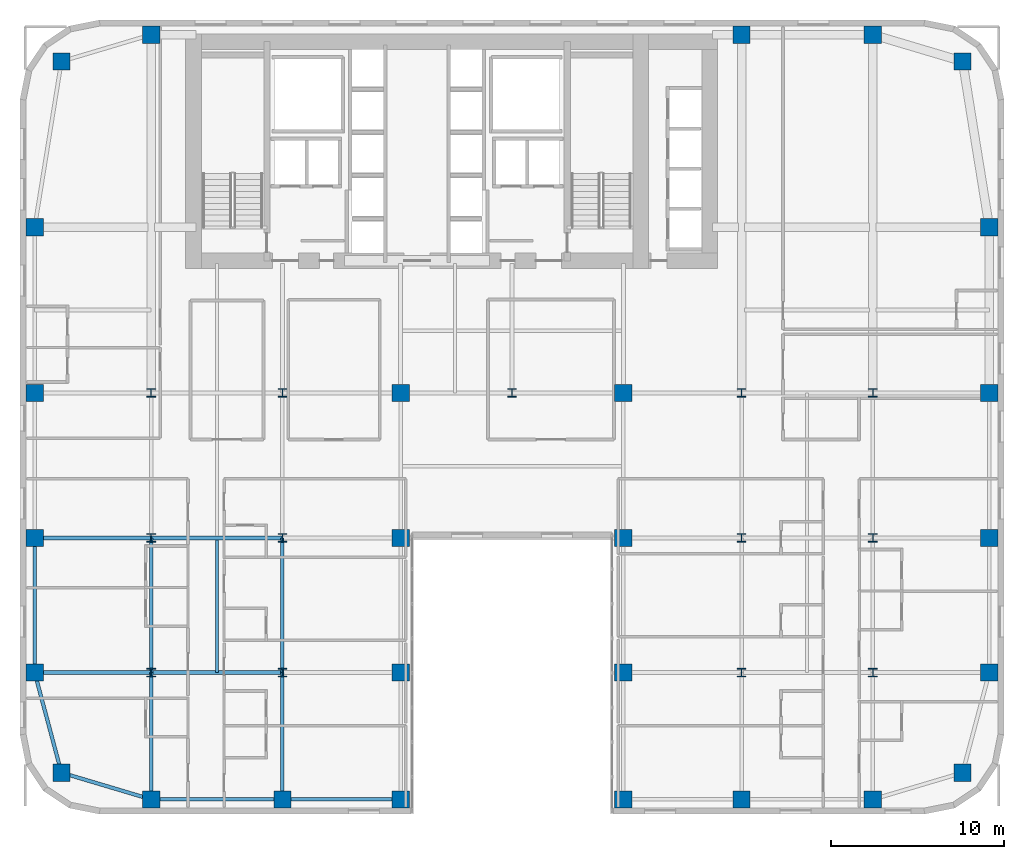
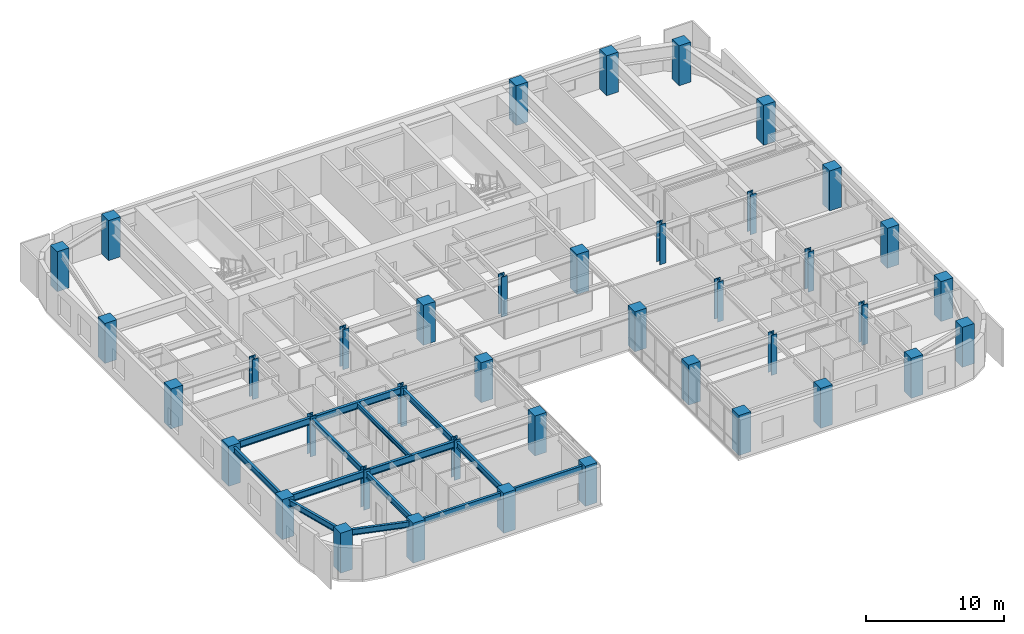
# One storey, part 1 of 17: 40 columns, 14 beams.
"""IFC4 building model written with IfcOpenShell, lengths in metres."""

import ifcopenshell
import ifcopenshell.guid

model = None  # the IFC model being written
_history = None  # IfcOwnerHistory: only IFC2X3 demands one
_inside = {}  # id of a spatial element -> (the spatial element, [elements in it])
_under = {}  # id of a project, library or spatial element -> (it, [spatial elements below it])
_declared = {}  # id of a project -> (the project, [libraries it declares])
_typed = {}  # id of a type object -> (the type object, [elements of that type])
_made_of = {}  # id of a material, layer set ... -> (it, [elements and type objects made of it])


def new_model(schema):
    """Start an empty IFC model of exactly this schema.

    Asked for "IFC4X3", IfcOpenShell would pick the latest addendum, in which some entities
    have other attributes; the version numbers below select the first issue.
    IFC2X3 requires an IfcOwnerHistory on every rooted entity: one is made here for all.
    """
    global model, _history
    if schema == "IFC4X3":
        model = ifcopenshell.file(schema_version=(4, 3, 0, 0))
    else:
        model = ifcopenshell.file(schema=schema)
    _inside.clear()
    _under.clear()
    _declared.clear()
    _typed.clear()
    _made_of.clear()
    _history = None
    if model.schema == "IFC2X3":
        org = make("IfcOrganization", Name="unknown")
        user = make(
            "IfcPersonAndOrganization",
            ThePerson=make("IfcPerson", FamilyName="unknown"),
            TheOrganization=org,
        )
        app = make(
            "IfcApplication",
            ApplicationDeveloper=org,
            Version="unknown",
            ApplicationFullName="unknown",
            ApplicationIdentifier="unknown",
        )
        _history = make(
            "IfcOwnerHistory",
            OwningUser=user,
            OwningApplication=app,
            ChangeAction="ADDED",
            CreationDate=0,
        )
    return model


def make(cls, **values):
    """One entity of the class cls with the attributes given. An attribute that is None is left unset."""
    return model.create_entity(
        cls, **{name: value for name, value in values.items() if value is not None}
    )


def rooted(cls, **values):
    """An entity with a GlobalId (a new one), such as an element, a storey or a relation."""
    return make(cls, GlobalId=ifcopenshell.guid.new(), OwnerHistory=_history, **values)


def si_unit(unit_type, name, prefix=None):
    """IfcSIUnit, for example si_unit("LENGTHUNIT", "METRE", prefix="MILLI")."""
    return make("IfcSIUnit", UnitType=unit_type, Prefix=prefix, Name=name)


def assignment(units):
    """IfcUnitAssignment: the units of a project."""
    return None if units is None else make("IfcUnitAssignment", Units=units)


def point(xyz):
    """IfcCartesianPoint."""
    return None if xyz is None else make("IfcCartesianPoint", Coordinates=xyz)


def direction(xyz):
    """IfcDirection."""
    return None if xyz is None else make("IfcDirection", DirectionRatios=xyz)


def frame(location, z_axis=None, x_axis=None):
    """IfcAxis2Placement3D, a coordinate frame: its origin and axes. An axis left out is left unset."""
    return make(
        "IfcAxis2Placement3D",
        Location=point(location),
        Axis=direction(z_axis),
        RefDirection=direction(x_axis),
    )


def frame_2d(location, x_axis=None):
    """IfcAxis2Placement2D, a coordinate frame in the plane: its origin and x axis."""
    return make(
        "IfcAxis2Placement2D", Location=point(location), RefDirection=direction(x_axis)
    )


def origin():
    """The frame at (0, 0, 0) with its axes left unset."""
    return frame((0.0, 0.0, 0.0))


def origin_2d():
    """The frame at (0, 0) in the plane with its x axis left unset."""
    return frame_2d((0.0, 0.0))


def place(relative_to, where):
    """IfcLocalPlacement: puts the frame where relative to a parent placement (None: the world)."""
    return make(
        "IfcLocalPlacement", PlacementRelTo=relative_to, RelativePlacement=where
    )


def context(
    kind, dimensions, precision=None, world=None, true_north=None, identifier=None
):
    """IfcGeometricRepresentationContext, for example the 3D "Model" context."""
    return make(
        "IfcGeometricRepresentationContext",
        ContextIdentifier=identifier,
        ContextType=kind,
        CoordinateSpaceDimension=dimensions,
        Precision=precision,
        WorldCoordinateSystem=world,
        TrueNorth=true_north,
    )


def subcontext(parent, identifier, kind, view, scale=None):
    """IfcGeometricRepresentationSubContext, for example "Body" below "Model"."""
    return make(
        "IfcGeometricRepresentationSubContext",
        ContextIdentifier=identifier,
        ContextType=kind,
        ParentContext=parent,
        TargetScale=scale,
        TargetView=view,
    )


def project(units=None, contexts=None):
    """IfcProject with its units and contexts."""
    return rooted(
        "IfcProject",
        Name="project",
        RepresentationContexts=contexts,
        UnitsInContext=assignment(units),
    )


def spatial(cls, under=None, at=None, **own):
    """A site, building, storey or space (cls), placed at a placement, below another one or the project."""
    s = rooted(cls, ObjectPlacement=at, **own)
    if under is not None:
        _under.setdefault(under.id(), (under, []))[1].append(s)
    return s


def profile(cls, at=None, kind="AREA", **sizes):
    """A parametric profile (cls). Its sizes go by their IFC names, for example OverallWidth=200.0."""
    return make(cls, ProfileType=kind, Position=at, **sizes)


def rectangle(**sizes):
    """IfcRectangleProfileDef."""
    return profile("IfcRectangleProfileDef", **sizes)


def i_section(**sizes):
    """IfcIShapeProfileDef."""
    return profile("IfcIShapeProfileDef", **sizes)


def extrude(swept, where, along, depth):
    """IfcExtrudedAreaSolid: the profile swept, set in the frame where, extruded along a direction by depth."""
    return make(
        "IfcExtrudedAreaSolid",
        SweptArea=swept,
        Position=where,
        ExtrudedDirection=direction(along),
        Depth=depth,
    )


def shape(context_of_items, identifier, shape_type, items):
    """IfcShapeRepresentation: the items that make up one representation, for example the "Body"."""
    return make(
        "IfcShapeRepresentation",
        ContextOfItems=context_of_items,
        RepresentationIdentifier=identifier,
        RepresentationType=shape_type,
        Items=items,
    )


def source(mapping_origin, context_of_items, identifier, shape_type, items):
    """IfcRepresentationMap: a shape defined once, which mapped items show again and again."""
    return make(
        "IfcRepresentationMap",
        MappingOrigin=mapping_origin,
        MappedRepresentation=shape(context_of_items, identifier, shape_type, items),
    )


def transform(
    local_origin,
    x_axis=None,
    y_axis=None,
    z_axis=None,
    scale=None,
    scale2=None,
    scale3=None,
    uniform=True,
):
    """IfcCartesianTransformationOperator3D, or its non-uniform kind. x_axis, y_axis, z_axis: its Axis1, 2, 3."""
    if uniform:
        return make(
            "IfcCartesianTransformationOperator3D",
            Axis1=direction(x_axis),
            Axis2=direction(y_axis),
            LocalOrigin=point(local_origin),
            Scale=scale,
            Axis3=direction(z_axis),
        )
    return make(
        "IfcCartesianTransformationOperator3DnonUniform",
        Axis1=direction(x_axis),
        Axis2=direction(y_axis),
        LocalOrigin=point(local_origin),
        Scale=scale,
        Axis3=direction(z_axis),
        Scale2=scale2,
        Scale3=scale3,
    )


def mapped(mapping_source, mapping_target):
    """IfcMappedItem: shows the shape of a source again, moved by a transform."""
    return make(
        "IfcMappedItem", MappingSource=mapping_source, MappingTarget=mapping_target
    )


def material(Name=None, Category=None):
    """IfcMaterial."""
    return make("IfcMaterial", Name=Name, Category=Category)


def material_profile(
    of_material, cross_section, Name=None, Category=None, Priority=None
):
    """IfcMaterialProfile: a cross section and its material."""
    return make(
        "IfcMaterialProfile",
        Name=Name,
        Material=of_material,
        Profile=cross_section,
        Priority=Priority,
        Category=Category,
    )


def profile_set(profiles, Name=None, composite=None):
    """IfcMaterialProfileSet."""
    return make(
        "IfcMaterialProfileSet",
        Name=Name,
        MaterialProfiles=profiles,
        CompositeProfile=composite,
    )


def made_of(thing, what):
    """Note that an element or type object is made of a material, layer set ...; save() writes the relation."""
    if what is not None:
        _made_of.setdefault(what.id(), (what, []))[1].append(thing)
    return thing


def type_object(cls, material=None, **own):
    """A type object (cls), such as IfcWallType, which elements share."""
    return made_of(rooted(cls, **own), material)


def type_shapes(of_type, sources):
    """Give a type object the sources (RepresentationMaps) that its elements show as mapped items."""
    of_type.RepresentationMaps = sources


def element(
    cls,
    number,
    at=None,
    inside=None,
    cuts=None,
    type_object=None,
    material=None,
    context=None,
    identifier="Body",
    shape_type=None,
    held_by="IfcProductDefinitionShape",
    body=None,
    shapes=None,
    **own,
):
    """One element of the class cls, such as IfcWall. Its Tag is "e" and its number.

    at: its placement. inside: the storey or other place that contains it. cuts: it is an
    opening in that element (IfcRelVoidsElement). A single representation is given by context,
    identifier, shape_type and body (its items); several are given by shapes. held_by: the class
    of the entity that holds the representations. save() writes the other relations.
    """
    e = rooted(cls, Tag="e%d" % number, ObjectPlacement=at, **own)
    if body is not None:
        shapes = [shape(context, identifier, shape_type, body)]
    if shapes is not None:
        e.Representation = make(held_by, Representations=shapes)
    if inside is not None:
        _inside.setdefault(inside.id(), (inside, []))[1].append(e)
    if cuts is not None:
        rooted(
            "IfcRelVoidsElement", RelatingBuildingElement=cuts, RelatedOpeningElement=e
        )
    if type_object is not None:
        _typed.setdefault(type_object.id(), (type_object, []))[1].append(e)
    return made_of(e, material)


def aggregate(whole, parts):
    """IfcRelAggregates: a whole, such as a stair, and the parts it consists of."""
    return rooted("IfcRelAggregates", RelatingObject=whole, RelatedObjects=parts)


def save(model, path):
    """Write the relations noted so far, then the file.

    IfcRelAggregates (storeys below a building ...), IfcRelContainedInSpatialStructure (elements
    in a storey), IfcRelDefinesByType, IfcRelAssociatesMaterial and IfcRelDeclares: one each for
    every whole, place, type object, material and project.
    """
    for whole, parts in _under.values():
        aggregate(whole, parts)
    for where, things in _inside.values():
        rooted(
            "IfcRelContainedInSpatialStructure",
            RelatedElements=things,
            RelatingStructure=where,
        )
    for kind, things in _typed.values():
        rooted("IfcRelDefinesByType", RelatedObjects=things, RelatingType=kind)
    for what, things in _made_of.values():
        rooted("IfcRelAssociatesMaterial", RelatedObjects=things, RelatingMaterial=what)
    for by, libraries in _declared.values():
        rooted("IfcRelDeclares", RelatingContext=by, RelatedDefinitions=libraries)
    model.write(path)


model = new_model("IFC4")

# Units and contexts
model_context = context("Model", 3, precision=1e-05, world=origin(), true_north=direction((0.0, 1.0)))
body_context = subcontext(model_context, "Body", "Model", "MODEL_VIEW")
ifc_project = project(units=[si_unit("LENGTHUNIT", "METRE"), si_unit("AREAUNIT", "SQUARE_METRE"), si_unit("VOLUMEUNIT", "CUBIC_METRE"), si_unit("PLANEANGLEUNIT", "RADIAN"), si_unit("MASSUNIT", "GRAM", prefix="KILO")], contexts=[model_context])

# Site, building, storey
site_placement = place(None, origin())
site = spatial("IfcSite", under=ifc_project, at=site_placement, CompositionType="ELEMENT")
building_placement = place(site_placement, origin())
building = spatial("IfcBuilding", under=site, at=building_placement, Name="Tolvann Quenvar Hotel", CompositionType="ELEMENT")
storey_placement = place(building_placement, frame((0.0, 0.0, 49.75)))
storey = spatial("IfcBuildingStorey", under=building, at=storey_placement, Name="L11", CompositionType="ELEMENT", Elevation=49.75)

# Columns
ifc_material_1 = material(Name="Concrete S65 (65 MPa)", Category="concrete")
ifc_material_profile_1 = material_profile(ifc_material_1, rectangle(XDim=1.0, YDim=1.0, at=origin_2d()), Name="RC1000x1000")
ifc_profile_set_1 = profile_set([ifc_material_profile_1], Name="Concrete S65 (65 MPa)")
column_type_1 = type_object("IfcColumnType", Name="COL_RC1000", PredefinedType="COLUMN", material=ifc_profile_set_1)
shared_shape_1 = source(origin(), body_context, "Body", "SweptSolid", [
    extrude(rectangle(XDim=1.0, YDim=1.0, at=origin_2d()), origin(), (0.0, 0.0, 1.0), 3.550048828125),
])
type_shapes(column_type_1, [shared_shape_1])
for number, where, z_axis, x_axis, name in (
    (1, (2.39990234375, 2.39990234375, 0.0), (0.0, 0.0, 1.0), (1.0, 0.0, 0.0), "Column B2 (L11)"),
    (2, (0.85009765625, 8.199951171875, 0.0), (0.0, 0.0, 1.0), (1.0, 0.0, 0.0), "Column B3 (L11)"),
    (3, (0.85009765625, 16.0, 0.0), (0.0, 0.0, 1.0), (1.0, 0.0, 0.0), "Column B4 (L11)"),
    (4, (0.85009765625, 24.39990234375, 0.0), (0.0, 0.0, 1.0), (1.0, 0.0, 0.0), "Column B5 (L11)"),
    (5, (7.60009765625, 0.85009765625, 0.0), (0.0, 0.0, 1.0), (1.0, 0.0, 0.0), "Column C2 (L11)"),
    (6, (15.199951171875, 0.85009765625, 0.0), (0.0, 0.0, 1.0), (1.0, 0.0, 0.0), "Column D2 (L11)"),
    (7, (22.050048828125, 0.85009765625, 0.0), (0.0, 0.0, 1.0), (1.0, 0.0, 0.0), "Column E2 (L11)"),
    (8, (22.050048828125, 8.199951171875, 0.0), (0.0, 0.0, 1.0), (1.0, 0.0, 0.0), "Column E3 (L11)"),
    (9, (22.050048828125, 16.0, 0.0), (0.0, 0.0, 1.0), (1.0, 0.0, 0.0), "Column E4 (L11)"),
    (10, (22.050048828125, 24.39990234375, 0.0), (0.0, 0.0, 1.0), (1.0, 0.0, 0.0), "Column E5 (L11)"),
    (11, (34.949951171875, 0.85009765625, 0.0), (0.0, 0.0, 1.0), (1.0, 0.0, 0.0), "Column F2 (L11)"),
    (12, (34.949951171875, 8.199951171875, 0.0), (0.0, 0.0, 1.0), (1.0, 0.0, 0.0), "Column F3 (L11)"),
    (13, (34.949951171875, 16.0, 0.0), (0.0, 0.0, 1.0), (1.0, 0.0, 0.0), "Column F4 (L11)"),
    (14, (34.949951171875, 24.39990234375, 0.0), (0.0, 0.0, 1.0), (1.0, 0.0, 0.0), "Column F5 (L11)"),
    (15, (41.800048828125, 0.85009765625, 0.0), (0.0, 0.0, 1.0), (1.0, 0.0, 0.0), "Column H2 (L11)"),
    (16, (49.39990234375, 0.85009765625, 0.0), (0.0, 0.0, 1.0), (1.0, 0.0, 0.0), "Column I2 (L11)"),
    (17, (54.60009765625, 2.39990234375, 0.0), (0.0, 0.0, 1.0), (1.0, 0.0, 0.0), "Column J2 (L11)"),
    (18, (56.14990234375, 8.199951171875, 0.0), (0.0, 0.0, 1.0), (1.0, 0.0, 0.0), "Column J3 (L11)"),
    (19, (56.14990234375, 16.0, 0.0), (0.0, 0.0, 1.0), (1.0, 0.0, 0.0), "Column J4 (L11)"),
    (20, (56.14990234375, 24.39990234375, 0.0), (0.0, 0.0, 1.0), (1.0, 0.0, 0.0), "Column J5 (L11)"),
    (21, (2.39990234375, 43.60009765625, 0.0), (0.0, 0.0, 1.0), (1.0, 0.0, 0.0), "Column BN (L11)"),
    (22, (7.60009765625, 45.14990234375, 0.0), (0.0, 0.0, 1.0), (1.0, 0.0, 0.0), "Column CN (L11)"),
    (23, (0.85009765625, 34.0, 0.0), (0.0, 0.0, 1.0), (1.0, 0.0, 0.0), "Column BD6 (L11)"),
    (24, (41.800048828125, 45.14990234375, 0.0), (0.0, 0.0, 1.0), (1.0, 0.0, 0.0), "Column HN (L11)"),
    (25, (49.39990234375, 45.14990234375, 0.0), (0.0, 0.0, 1.0), (1.0, 0.0, 0.0), "Column IN (L11)"),
    (26, (54.60009765625, 43.60009765625, 0.0), (0.0, 0.0, 1.0), (1.0, 0.0, 0.0), "Column JN (L11)"),
    (27, (56.14990234375, 34.0, 0.0), (0.0, 0.0, 1.0), (1.0, 0.0, 0.0), "Column JD6 (L11)"),
):
    element("IfcColumn", number, at=place(storey_placement, frame(where, z_axis=z_axis, x_axis=x_axis)), inside=storey, type_object=column_type_1, Name=name, PredefinedType="COLUMN", context=body_context, shape_type="MappedRepresentation", body=[
        mapped(shared_shape_1, transform((0.0, 0.0, 0.0), x_axis=(1.0, 0.0, 0.0), y_axis=(0.0, 1.0, 0.0), z_axis=(0.0, 0.0, 1.0), scale=1.0)),
    ])
ifc_material_2 = material(Name="Steel Grade 350", Category="steel")
ifc_material_profile_2 = material_profile(ifc_material_2, i_section(OverallWidth=0.5, OverallDepth=0.5, WebThickness=0.028076171875, FlangeThickness=0.044921875, at=origin_2d()), Name="500WC440")
ifc_profile_set_2 = profile_set([ifc_material_profile_2], Name="Steel Grade 350")
column_type_2 = type_object("IfcColumnType", Name="COL_500WC440", PredefinedType="COLUMN", material=ifc_profile_set_2)
shared_shape_2 = source(origin(), body_context, "Body", "SweptSolid", [
    extrude(i_section(OverallWidth=0.5, OverallDepth=0.5, WebThickness=0.028076171875, FlangeThickness=0.044921875, at=origin_2d()), origin(), (0.0, 0.0, 1.0), 3.550048828125),
])
type_shapes(column_type_2, [shared_shape_2])
for number, where, z_axis, x_axis, name in (
    (28, (7.60009765625, 8.199951171875, 0.0), (0.0, 0.0, 1.0), (1.0, 0.0, 0.0), "Column C3 (L11)"),
    (29, (7.60009765625, 16.0, 0.0), (0.0, 0.0, 1.0), (1.0, 0.0, 0.0), "Column C4 (L11)"),
    (30, (7.60009765625, 24.39990234375, 0.0), (0.0, 0.0, 1.0), (1.0, 0.0, 0.0), "Column C5 (L11)"),
    (31, (15.199951171875, 8.199951171875, 0.0), (0.0, 0.0, 1.0), (1.0, 0.0, 0.0), "Column D3 (L11)"),
    (32, (15.199951171875, 16.0, 0.0), (0.0, 0.0, 1.0), (1.0, 0.0, 0.0), "Column D4 (L11)"),
    (33, (15.199951171875, 24.39990234375, 0.0), (0.0, 0.0, 1.0), (1.0, 0.0, 0.0), "Column D5 (L11)"),
    (34, (41.800048828125, 8.199951171875, 0.0), (0.0, 0.0, 1.0), (1.0, 0.0, 0.0), "Column H3 (L11)"),
    (35, (41.800048828125, 16.0, 0.0), (0.0, 0.0, 1.0), (1.0, 0.0, 0.0), "Column H4 (L11)"),
    (36, (41.800048828125, 24.39990234375, 0.0), (0.0, 0.0, 1.0), (1.0, 0.0, 0.0), "Column H5 (L11)"),
    (37, (49.39990234375, 8.199951171875, 0.0), (0.0, 0.0, 1.0), (1.0, 0.0, 0.0), "Column I3 (L11)"),
    (38, (49.39990234375, 16.0, 0.0), (0.0, 0.0, 1.0), (1.0, 0.0, 0.0), "Column I4 (L11)"),
    (39, (49.39990234375, 24.39990234375, 0.0), (0.0, 0.0, 1.0), (1.0, 0.0, 0.0), "Column I5 (L11)"),
    (40, (28.5, 24.39990234375, 0.0), (0.0, 0.0, 1.0), (1.0, 0.0, 0.0), "Column M5 (L11)"),
):
    element("IfcColumn", number, at=place(storey_placement, frame(where, z_axis=z_axis, x_axis=x_axis)), inside=storey, type_object=column_type_2, Name=name, PredefinedType="COLUMN", context=body_context, shape_type="MappedRepresentation", body=[
        mapped(shared_shape_2, transform((0.0, 0.0, 0.0), x_axis=(1.0, 0.0, 0.0), y_axis=(0.0, 1.0, 0.0), z_axis=(0.0, 0.0, 1.0), scale=1.0)),
    ])

# Beams
ifc_material_profile_3 = material_profile(ifc_material_2, i_section(OverallWidth=0.208984375, OverallDepth=0.528076171875, WebThickness=0.009521484375, FlangeThickness=0.01318359375, FilletRadius=0.013916015625, at=origin_2d()), Name="530UB82")
ifc_profile_set_3 = profile_set([ifc_material_profile_3], Name="Steel Grade 350")
beam_type_1 = type_object("IfcBeamType", Name="BM_SPAND_530UB82", PredefinedType="SPANDREL", material=ifc_profile_set_3)
shared_shape_3 = source(origin(), body_context, "Body", "SweptSolid", [
    extrude(i_section(OverallWidth=0.208984375, OverallDepth=0.528076171875, WebThickness=0.009521484375, FlangeThickness=0.01318359375, FilletRadius=0.013916015625, at=origin_2d()), origin(), (0.0, 0.0, 1.0), 5.42626953125),
])
beam_1_placement = place(storey_placement, frame((2.39990234375, 2.39990234375, 3.10595703125), z_axis=(0.958344815522, -0.285613750654, 0.0), x_axis=(0.285613750654, 0.958344815522, 0.0)))
element("IfcBeam", 41, at=beam_1_placement, inside=storey, type_object=beam_type_1, Name="BM-L11-EW-2-B2-C2", PredefinedType="SPANDREL", context=body_context, shape_type="MappedRepresentation", body=[
    mapped(shared_shape_3, transform((0.0, 0.0, 0.0), x_axis=(1.0, 0.0, 0.0), y_axis=(0.0, 1.0, 0.0), z_axis=(0.0, 0.0, 1.0), scale=1.0)),
])
shared_shape_4 = source(origin(), body_context, "Body", "SweptSolid", [
    extrude(i_section(OverallWidth=0.208984375, OverallDepth=0.528076171875, WebThickness=0.009521484375, FlangeThickness=0.01318359375, FilletRadius=0.013916015625, at=origin_2d()), origin(), (0.0, 0.0, 1.0), 7.599853515625),
])
beam_2_placement = place(storey_placement, frame((7.60009765625, 0.85009765625, 3.10595703125), z_axis=(1.0, 0.0, 0.0), x_axis=(0.0, 1.0, 0.0)))
element("IfcBeam", 42, at=beam_2_placement, inside=storey, type_object=beam_type_1, Name="BM-L11-EW-2-C2-D2", PredefinedType="SPANDREL", context=body_context, shape_type="MappedRepresentation", body=[
    mapped(shared_shape_4, transform((0.0, 0.0, 0.0), x_axis=(1.0, 0.0, 0.0), y_axis=(0.0, 1.0, 0.0), z_axis=(0.0, 0.0, 1.0), scale=1.0)),
])
shared_shape_5 = source(origin(), body_context, "Body", "SweptSolid", [
    extrude(i_section(OverallWidth=0.208984375, OverallDepth=0.528076171875, WebThickness=0.009521484375, FlangeThickness=0.01318359375, FilletRadius=0.013916015625, at=origin_2d()), origin(), (0.0, 0.0, 1.0), 6.85009765625),
])
beam_3_placement = place(storey_placement, frame((15.199951171875, 0.85009765625, 3.10595703125), z_axis=(1.0, 0.0, 0.0), x_axis=(0.0, 1.0, 0.0)))
element("IfcBeam", 43, at=beam_3_placement, inside=storey, type_object=beam_type_1, Name="BM-L11-EW-2-D2-E2", PredefinedType="SPANDREL", context=body_context, shape_type="MappedRepresentation", body=[
    mapped(shared_shape_5, transform((0.0, 0.0, 0.0), x_axis=(1.0, 0.0, 0.0), y_axis=(0.0, 1.0, 0.0), z_axis=(0.0, 0.0, 1.0), scale=1.0)),
])
ifc_material_profile_4 = material_profile(ifc_material_2, i_section(OverallWidth=0.22900390625, OverallDepth=0.612060546875, WebThickness=0.011962890625, FlangeThickness=0.01953125, FilletRadius=0.013916015625, at=origin_2d()), Name="610UB125")
ifc_profile_set_4 = profile_set([ifc_material_profile_4], Name="Steel Grade 350")
beam_type_2 = type_object("IfcBeamType", Name="BM_GIRD_610UB125", PredefinedType="BEAM", material=ifc_profile_set_4)
shared_shape_6 = source(origin(), body_context, "Body", "SweptSolid", [
    extrude(i_section(OverallWidth=0.22900390625, OverallDepth=0.612060546875, WebThickness=0.011962890625, FlangeThickness=0.01953125, FilletRadius=0.013916015625, at=origin_2d()), origin(), (0.0, 0.0, 1.0), 6.75),
])
for number, where, z_axis, x_axis, name in (
    (44, (0.85009765625, 8.199951171875, 3.06396484375), (1.0, 0.0, 0.0), (0.0, 1.0, 0.0), "BM-L11-EW-3-B3-C3"),
    (45, (0.85009765625, 16.0, 3.06396484375), (1.0, 0.0, 0.0), (0.0, 1.0, 0.0), "BM-L11-EW-4-B4-C4"),
):
    element("IfcBeam", number, at=place(storey_placement, frame(where, z_axis=z_axis, x_axis=x_axis)), inside=storey, type_object=beam_type_2, Name=name, PredefinedType="BEAM", context=body_context, shape_type="MappedRepresentation", body=[
        mapped(shared_shape_6, transform((0.0, 0.0, 0.0), x_axis=(1.0, 0.0, 0.0), y_axis=(0.0, 1.0, 0.0), z_axis=(0.0, 0.0, 1.0), scale=1.0)),
    ])
shared_shape_7 = source(origin(), body_context, "Body", "SweptSolid", [
    extrude(i_section(OverallWidth=0.22900390625, OverallDepth=0.612060546875, WebThickness=0.011962890625, FlangeThickness=0.01953125, FilletRadius=0.013916015625, at=origin_2d()), origin(), (0.0, 0.0, 1.0), 7.599853515625),
])
type_shapes(beam_type_2, [shared_shape_6, shared_shape_7])
for number, where, z_axis, x_axis, name in (
    (46, (7.60009765625, 8.199951171875, 3.06396484375), (1.0, 0.0, 0.0), (0.0, 1.0, 0.0), "BM-L11-EW-3-C3-D3"),
    (47, (7.60009765625, 16.0, 3.06396484375), (1.0, 0.0, 0.0), (0.0, 1.0, 0.0), "BM-L11-EW-4-C4-D4"),
):
    element("IfcBeam", number, at=place(storey_placement, frame(where, z_axis=z_axis, x_axis=x_axis)), inside=storey, type_object=beam_type_2, Name=name, PredefinedType="BEAM", context=body_context, shape_type="MappedRepresentation", body=[
        mapped(shared_shape_7, transform((0.0, 0.0, 0.0), x_axis=(1.0, 0.0, 0.0), y_axis=(0.0, 1.0, 0.0), z_axis=(0.0, 0.0, 1.0), scale=1.0)),
    ])
shared_shape_8 = source(origin(), body_context, "Body", "SweptSolid", [
    extrude(i_section(OverallWidth=0.208984375, OverallDepth=0.528076171875, WebThickness=0.009521484375, FlangeThickness=0.01318359375, FilletRadius=0.013916015625, at=origin_2d()), origin(), (0.0, 0.0, 1.0), 6.00341796875),
])
beam_4_placement = place(storey_placement, frame((2.39990234375, 2.39990234375, 3.10595703125), z_axis=(-0.258148586649, 0.966105225745, 0.0), x_axis=(-0.966105225745, -0.258148586649, 0.0)))
element("IfcBeam", 48, at=beam_4_placement, inside=storey, type_object=beam_type_1, Name="BM-L11-NS-B2-B3", PredefinedType="SPANDREL", context=body_context, shape_type="MappedRepresentation", body=[
    mapped(shared_shape_8, transform((0.0, 0.0, 0.0), x_axis=(1.0, 0.0, 0.0), y_axis=(0.0, 1.0, 0.0), z_axis=(0.0, 0.0, 1.0), scale=1.0)),
])
shared_shape_9 = source(origin(), body_context, "Body", "SweptSolid", [
    extrude(i_section(OverallWidth=0.208984375, OverallDepth=0.528076171875, WebThickness=0.009521484375, FlangeThickness=0.01318359375, FilletRadius=0.013916015625, at=origin_2d()), origin(), (0.0, 0.0, 1.0), 7.800048828125),
])
type_shapes(beam_type_1, [shared_shape_3, shared_shape_4, shared_shape_5, shared_shape_8, shared_shape_9])
beam_5_placement = place(storey_placement, frame((0.85009765625, 8.199951171875, 3.10595703125), z_axis=(0.0, 1.0, 0.0), x_axis=(-1.0, 0.0, 0.0)))
element("IfcBeam", 49, at=beam_5_placement, inside=storey, type_object=beam_type_1, Name="BM-L11-NS-B3-B4", PredefinedType="SPANDREL", context=body_context, shape_type="MappedRepresentation", body=[
    mapped(shared_shape_9, transform((0.0, 0.0, 0.0), x_axis=(1.0, 0.0, 0.0), y_axis=(0.0, 1.0, 0.0), z_axis=(0.0, 0.0, 1.0), scale=1.0)),
])
ifc_material_profile_5 = material_profile(ifc_material_2, i_section(OverallWidth=0.208984375, OverallDepth=0.532958984375, WebThickness=0.01025390625, FlangeThickness=0.015625, FilletRadius=0.013916015625, at=origin_2d()), Name="530UB92")
ifc_profile_set_5 = profile_set([ifc_material_profile_5], Name="Steel Grade 350")
beam_type_3 = type_object("IfcBeamType", Name="BM_GIRD_530UB92", PredefinedType="BEAM", material=ifc_profile_set_5)
shared_shape_10 = source(origin(), body_context, "Body", "SweptSolid", [
    extrude(i_section(OverallWidth=0.208984375, OverallDepth=0.532958984375, WebThickness=0.01025390625, FlangeThickness=0.015625, FilletRadius=0.013916015625, at=origin_2d()), origin(), (0.0, 0.0, 1.0), 7.349853515625),
])
for number, where, z_axis, x_axis, name in (
    (50, (7.60009765625, 0.85009765625, 3.103515625), (0.0, 1.0, 0.0), (-1.0, 0.0, 0.0), "BM-L11-NS-C2-C3"),
    (51, (15.199951171875, 0.85009765625, 3.103515625), (0.0, 1.0, 0.0), (-1.0, 0.0, 0.0), "BM-L11-NS-D2-D3"),
):
    element("IfcBeam", number, at=place(storey_placement, frame(where, z_axis=z_axis, x_axis=x_axis)), inside=storey, type_object=beam_type_3, Name=name, PredefinedType="BEAM", context=body_context, shape_type="MappedRepresentation", body=[
        mapped(shared_shape_10, transform((0.0, 0.0, 0.0), x_axis=(1.0, 0.0, 0.0), y_axis=(0.0, 1.0, 0.0), z_axis=(0.0, 0.0, 1.0), scale=1.0)),
    ])
shared_shape_11 = source(origin(), body_context, "Body", "SweptSolid", [
    extrude(i_section(OverallWidth=0.208984375, OverallDepth=0.532958984375, WebThickness=0.01025390625, FlangeThickness=0.015625, FilletRadius=0.013916015625, at=origin_2d()), origin(), (0.0, 0.0, 1.0), 7.800048828125),
])
type_shapes(beam_type_3, [shared_shape_10, shared_shape_11])
for number, where, z_axis, x_axis, name in (
    (52, (7.60009765625, 8.199951171875, 3.103515625), (0.0, 1.0, 0.0), (-1.0, 0.0, 0.0), "BM-L11-NS-C3-C4"),
    (53, (15.199951171875, 8.199951171875, 3.103515625), (0.0, 1.0, 0.0), (-1.0, 0.0, 0.0), "BM-L11-NS-D3-D4"),
):
    element("IfcBeam", number, at=place(storey_placement, frame(where, z_axis=z_axis, x_axis=x_axis)), inside=storey, type_object=beam_type_3, Name=name, PredefinedType="BEAM", context=body_context, shape_type="MappedRepresentation", body=[
        mapped(shared_shape_11, transform((0.0, 0.0, 0.0), x_axis=(1.0, 0.0, 0.0), y_axis=(0.0, 1.0, 0.0), z_axis=(0.0, 0.0, 1.0), scale=1.0)),
    ])
ifc_material_profile_6 = material_profile(ifc_material_2, i_section(OverallWidth=0.177978515625, OverallDepth=0.406005859375, WebThickness=0.0078125, FlangeThickness=0.0126953125, FilletRadius=0.011474609375, at=origin_2d()), Name="410UB60")
ifc_profile_set_6 = profile_set([ifc_material_profile_6], Name="Steel Grade 350")
beam_type_4 = type_object("IfcBeamType", Name="BM_JOIST_410UB60", PredefinedType="JOIST", material=ifc_profile_set_6)
shared_shape_12 = source(origin(), body_context, "Body", "SweptSolid", [
    extrude(i_section(OverallWidth=0.177978515625, OverallDepth=0.406005859375, WebThickness=0.0078125, FlangeThickness=0.0126953125, FilletRadius=0.011474609375, at=origin_2d()), origin(), (0.0, 0.0, 1.0), 7.691650390625),
])
type_shapes(beam_type_4, [shared_shape_12])
beam_6_placement = place(storey_placement, frame((11.39990234375, 8.199951171875, 3.1669921875), z_axis=(0.0, 1.0, 0.0), x_axis=(-1.0, 0.0, 0.0)))
element("IfcBeam", 54, at=beam_6_placement, inside=storey, type_object=beam_type_4, Name="BJ-L11-114-82", PredefinedType="JOIST", context=body_context, shape_type="MappedRepresentation", body=[
    mapped(shared_shape_12, transform((0.0, 0.0, 0.0), x_axis=(1.0, 0.0, 0.0), y_axis=(0.0, 1.0, 0.0), z_axis=(0.0, 0.0, 1.0), scale=1.0)),
])

save(model, "model.ifc")
